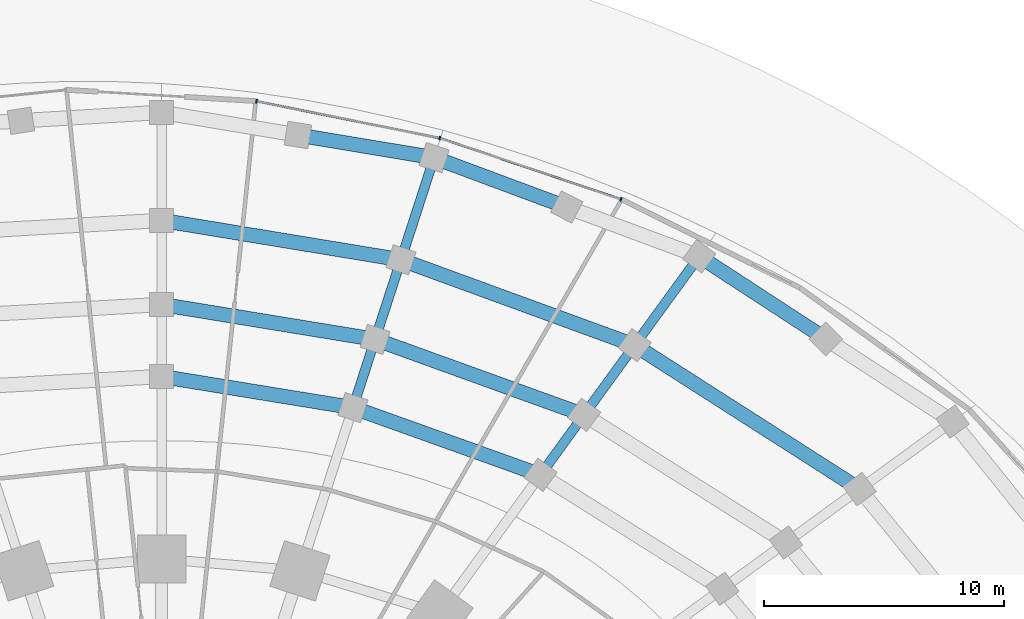
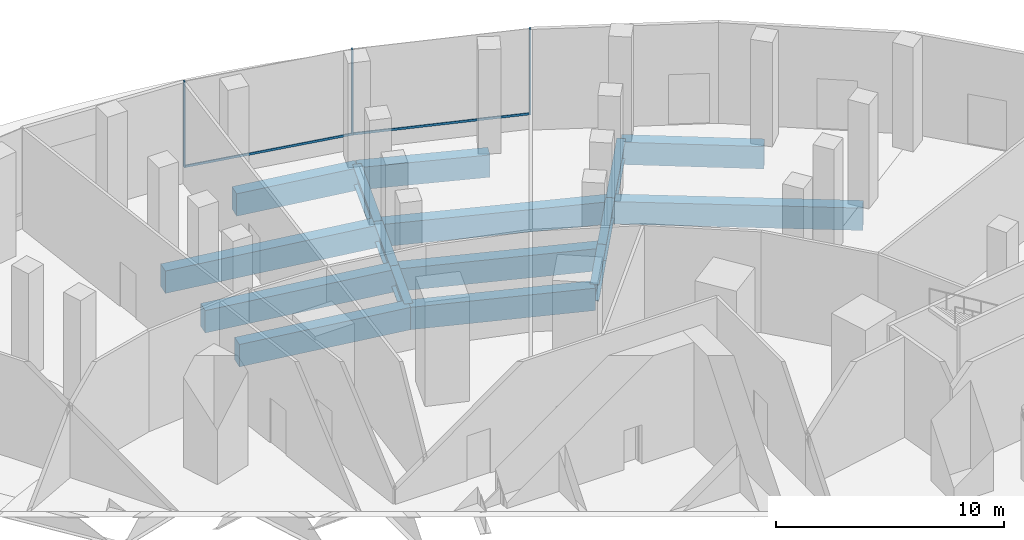
# One storey, part 11 of 23: 16 beams, 5 members, 1 element without a shape of its own.
"""IFC4 building model written with IfcOpenShell, lengths in metres."""

from ifc_helpers import new_model, si_unit, direction, frame, origin, origin_2d, place, context, subcontext, project, spatial, rectangle, i_section, extrude, material, material_profile, profile_set, type_object, element, aggregate, save


model = new_model("IFC4")

# Units and contexts
model_context = context("Model", 3, precision=1e-05, world=origin(), true_north=direction((0.0, 1.0)))
body_context = subcontext(model_context, "Body", "Model", "MODEL_VIEW")
ifc_project = project(units=[si_unit("LENGTHUNIT", "METRE"), si_unit("AREAUNIT", "SQUARE_METRE"), si_unit("VOLUMEUNIT", "CUBIC_METRE"), si_unit("PLANEANGLEUNIT", "RADIAN"), si_unit("MASSUNIT", "GRAM", prefix="KILO")], contexts=[model_context])

# Site, building, storey
site_placement = place(None, origin())
site = spatial("IfcSite", under=ifc_project, at=site_placement, CompositionType="ELEMENT")
building_placement = place(site_placement, origin())
building = spatial("IfcBuilding", under=site, at=building_placement, Name="Marramba Exchange Tower", CompositionType="ELEMENT")
storey_placement = place(building_placement, origin())
storey = spatial("IfcBuildingStorey", under=building, at=storey_placement, Name="L00", CompositionType="ELEMENT", Elevation=0.0)

# Beams
ifc_material_1 = material(Name="Concrete N50", Category="concrete")
ifc_material_profile_1 = material_profile(ifc_material_1, rectangle(XDim=0.60009765625, YDim=1.199951171875, at=origin_2d()), Name="RC 600x1200")
ifc_profile_set_1 = profile_set([ifc_material_profile_1], Name="Concrete N50")
beam_type_1 = type_object("IfcBeamType", Name="Edge beam RC 600x1200 N50", PredefinedType="SPANDREL", material=ifc_profile_set_1)
beam_1_placement = place(storey_placement, frame((27.655029296875, 27.364013671875, -0.800048828125), z_axis=(-0.8377200998, 0.546099839216, 0.0), x_axis=(-0.546099839216, -0.8377200998, 0.0)))
element("IfcBeam", 1, at=beam_1_placement, inside=storey, type_object=beam_type_1, Name="Edge beam L00 P0C03 half 2", PredefinedType="SPANDREL", context=body_context, shape_type="SweptSolid", body=[
    extrude(rectangle(XDim=0.60009765625, YDim=1.199951171875, at=origin_2d()), origin(), (0.0, 0.0, 1.0), 6.29736328125),
])
beam_2_placement = place(storey_placement, frame((16.861572265625, 32.857177734375, -0.800048828125), z_axis=(-0.937168261872, 0.348877699115, 0.0), x_axis=(-0.348877699115, -0.937168261872, 0.0)))
element("IfcBeam", 2, at=beam_2_placement, inside=storey, type_object=beam_type_1, Name="Edge beam L00 P0C04 half 2", PredefinedType="SPANDREL", context=body_context, shape_type="SweptSolid", body=[
    extrude(rectangle(XDim=0.60009765625, YDim=1.199951171875, at=origin_2d()), origin(), (0.0, 0.0, 1.0), 5.887939453125),
])
beam_3_placement = place(storey_placement, frame((11.343505859375, 34.911376953125, -0.800048828125), z_axis=(-0.986421451353, 0.164233736821, 0.0), x_axis=(-0.164233736821, -0.986421451353, 0.0)))
element("IfcBeam", 3, at=beam_3_placement, inside=storey, type_object=beam_type_1, Name="Edge beam L00 P0C05 half 1", PredefinedType="SPANDREL", context=body_context, shape_type="SweptSolid", body=[
    extrude(rectangle(XDim=0.60009765625, YDim=1.199951171875, at=origin_2d()), origin(), (0.0, 0.0, 1.0), 5.75),
])
beam_4_placement = place(storey_placement, frame((29.057373046875, 21.111328125, -0.800048828125), z_axis=(-0.84235792629, 0.538918476225, 0.0), x_axis=(-0.538918476225, -0.84235792629, 0.0)))
element("IfcBeam", 4, at=beam_4_placement, inside=storey, type_object=beam_type_1, Name="Edge beam L00 P1C03", PredefinedType="SPANDREL", context=body_context, shape_type="SweptSolid", body=[
    extrude(rectangle(XDim=0.60009765625, YDim=1.199951171875, at=origin_2d()), origin(), (0.0, 0.0, 1.0), 11.118408203125),
])
beam_5_placement = place(storey_placement, frame((19.691650390625, 27.103271484375, -0.800048828125), z_axis=(-0.939206472346, 0.343352883057, 0.0), x_axis=(-0.343352883057, -0.939206472346, 0.0)))
element("IfcBeam", 5, at=beam_5_placement, inside=storey, type_object=beam_type_1, Name="Edge beam L00 P1C04", PredefinedType="SPANDREL", context=body_context, shape_type="SweptSolid", body=[
    extrude(rectangle(XDim=0.60009765625, YDim=1.199951171875, at=origin_2d()), origin(), (0.0, 0.0, 1.0), 10.359375),
])
beam_6_placement = place(storey_placement, frame((9.962158203125, 30.66015625, -0.800048828125), z_axis=(-0.986720687671, 0.16242624333, 0.0), x_axis=(-0.16242624333, -0.986720687671, 0.0)))
element("IfcBeam", 6, at=beam_6_placement, inside=storey, type_object=beam_type_1, Name="Edge beam L00 P1C05", PredefinedType="SPANDREL", context=body_context, shape_type="SweptSolid", body=[
    extrude(rectangle(XDim=0.60009765625, YDim=1.199951171875, at=origin_2d()), origin(), (0.0, 0.0, 1.0), 10.09619140625),
])
beam_7_placement = place(storey_placement, frame((17.585205078125, 24.203857421875, -0.800048828125), z_axis=(-0.940481976413, 0.339843569958, 0.0), x_axis=(-0.339843569958, -0.940481976413, 0.0)))
element("IfcBeam", 7, at=beam_7_placement, inside=storey, type_object=beam_type_1, Name="Edge beam L00 P2C04", PredefinedType="SPANDREL", context=body_context, shape_type="SweptSolid", body=[
    extrude(rectangle(XDim=0.60009765625, YDim=1.199951171875, at=origin_2d()), origin(), (0.0, 0.0, 1.0), 9.25),
])
beam_8_placement = place(storey_placement, frame((8.8857421875, 27.347412109375, -0.800048828125), z_axis=(-0.986899242558, 0.161337797923, 0.0), x_axis=(-0.161337797923, -0.986899242558, 0.0)))
element("IfcBeam", 8, at=beam_8_placement, inside=storey, type_object=beam_type_1, Name="Edge beam L00 P2C05", PredefinedType="SPANDREL", context=body_context, shape_type="SweptSolid", body=[
    extrude(rectangle(XDim=0.60009765625, YDim=1.199951171875, at=origin_2d()), origin(), (0.0, 0.0, 1.0), 9.003662109375),
])
beam_9_placement = place(storey_placement, frame((15.769775390625, 21.705078125, -0.800048828125), z_axis=(-0.941347695699, 0.337438165895, 0.0), x_axis=(-0.337438165895, -0.941347695699, 0.0)))
element("IfcBeam", 9, at=beam_9_placement, inside=storey, type_object=beam_type_1, Name="Edge beam L00 P3C04", PredefinedType="SPANDREL", context=body_context, shape_type="SweptSolid", body=[
    extrude(rectangle(XDim=0.60009765625, YDim=1.199951171875, at=origin_2d()), origin(), (0.0, 0.0, 1.0), 8.29443359375),
])
beam_10_placement = place(storey_placement, frame((7.9619140625, 24.50390625, -0.800048828125), z_axis=(-0.987006935066, 0.160677659091, 0.0), x_axis=(-0.160677659091, -0.987006935066, 0.0)))
element("IfcBeam", 10, at=beam_10_placement, inside=storey, type_object=beam_type_1, Name="Edge beam L00 P3C05", PredefinedType="SPANDREL", context=body_context, shape_type="SweptSolid", body=[
    extrude(rectangle(XDim=0.60009765625, YDim=1.199951171875, at=origin_2d()), origin(), (0.0, 0.0, 1.0), 8.066650390625),
])

# Curtain wall, members
ifc_material_2 = material(Name="Aluminium framing, bronze anodised", Category="aluminium")
curtain_wall_type = type_object("IfcCurtainWallType", Name="Exchange hall glazed wall", PredefinedType="USERDEFINED", material=ifc_material_2)
curtain_wall_placement = place(storey_placement, origin())
curtain_wall = element("IfcCurtainWall", 11, at=curtain_wall_placement, inside=storey, type_object=curtain_wall_type, Name="Curtain wall CW1 L00 F06-F07", ObjectType="RIBBON CURTAIN WALL", PredefinedType="USERDEFINED")
ifc_material_3 = material(Name="Aluminium mullion, bronze anodised", Category="aluminium")
ifc_material_profile_2 = material_profile(ifc_material_3, rectangle(XDim=0.159912109375, YDim=0.06005859375, at=origin_2d()), Name="CW1 mullion 60x160")
ifc_profile_set_2 = profile_set([ifc_material_profile_2], Name="Aluminium mullion, bronze anodised")
member_type_1 = type_object("IfcMemberType", Name="Exchange hall glazed wall mullion", PredefinedType="MULLION", material=ifc_profile_set_2)
member_1_placement = place(storey_placement, frame((19.12255859375, 33.18017578125, 0.800048828125), z_axis=(0.0, 0.0, 1.0), x_axis=(-0.320105278981, -0.947381977013, 0.0)))
member_1 = element("IfcMember", 12, at=member_1_placement, type_object=member_type_1, Name="CW1 mullion 1", PredefinedType="MULLION", context=body_context, shape_type="SweptSolid", body=[
    extrude(rectangle(XDim=0.159912109375, YDim=0.06005859375, at=origin_2d()), origin(), (0.0, 0.0, 1.0), 4.599853515625),
])
member_2_placement = place(storey_placement, frame((11.57666015625, 35.725830078125, 0.800048828125), z_axis=(0.0, 0.0, 1.0), x_axis=(-0.197535139708, -0.980295806673, 0.0)))
member_2 = element("IfcMember", 13, at=member_2_placement, type_object=member_type_1, Name="CW1 mullion 1", PredefinedType="MULLION", context=body_context, shape_type="SweptSolid", body=[
    extrude(rectangle(XDim=0.159912109375, YDim=0.06005859375, at=origin_2d()), origin(), (0.0, 0.0, 1.0), 4.599853515625),
])
member_3_placement = place(storey_placement, frame((3.946533203125, 37.26318359375, 0.800048828125), z_axis=(0.0, 0.0, 1.0), x_axis=(-0.197535139708, -0.980295806673, 0.0)))
member_3 = element("IfcMember", 14, at=member_3_placement, type_object=member_type_1, Name="CW1 mullion 2", PredefinedType="MULLION", context=body_context, shape_type="SweptSolid", body=[
    extrude(rectangle(XDim=0.159912109375, YDim=0.06005859375, at=origin_2d()), origin(), (0.0, 0.0, 1.0), 4.599853515625),
])
ifc_material_4 = material(Name="Aluminium transom, bronze anodised", Category="aluminium")
ifc_material_profile_3 = material_profile(ifc_material_4, rectangle(XDim=0.06005859375, YDim=0.1201171875, at=origin_2d()), Name="CW1 transom 60x120")
ifc_profile_set_3 = profile_set([ifc_material_profile_3], Name="Aluminium transom, bronze anodised")
member_type_2 = type_object("IfcMemberType", Name="Exchange hall glazed wall transom", PredefinedType="USERDEFINED", material=ifc_profile_set_3)
member_4_placement = place(storey_placement, frame((19.09423828125, 33.189697265625, 0.830078125), z_axis=(-0.947387411825, 0.320089193686, 0.0), x_axis=(-0.320089193686, -0.947387411825, 0.0)))
member_4 = element("IfcMember", 15, at=member_4_placement, type_object=member_type_2, Name="CW1 sill transom", ObjectType="TRANSOM", PredefinedType="USERDEFINED", context=body_context, shape_type="SweptSolid", body=[
    extrude(rectangle(XDim=0.06005859375, YDim=0.1201171875, at=origin_2d()), origin(), (0.0, 0.0, 1.0), 7.904052734375),
])
member_5_placement = place(storey_placement, frame((11.54736328125, 35.731689453125, 0.830078125), z_axis=(-0.980296376488, 0.197532311901, 0.0), x_axis=(-0.197532311901, -0.980296376488, 0.0)))
member_5 = element("IfcMember", 16, at=member_5_placement, type_object=member_type_2, Name="CW1 sill transom", ObjectType="TRANSOM", PredefinedType="USERDEFINED", context=body_context, shape_type="SweptSolid", body=[
    extrude(rectangle(XDim=0.06005859375, YDim=0.1201171875, at=origin_2d()), origin(), (0.0, 0.0, 1.0), 7.723388671875),
])
aggregate(curtain_wall, [member_1, member_4, member_2, member_3, member_5])

# Beams
ifc_material_5 = material(Name="Steel AS/NZS 3679.2 grade 300", Category="steel")
ifc_material_profile_4 = material_profile(ifc_material_5, i_section(OverallWidth=0.39990234375, OverallDepth=0.89990234375, WebThickness=0.01611328125, FlangeThickness=0.031982421875, at=origin_2d()), Name="900WB282")
ifc_profile_set_4 = profile_set([ifc_material_profile_4], Name="Steel AS/NZS 3679.2 grade 300")
beam_type_2 = type_object("IfcBeamType", Name="Radial girder 900WB282", PredefinedType="BEAM", material=ifc_profile_set_4)
beam_11_placement = place(storey_placement, frame((22.379638671875, 30.802978515625, -0.64990234375), z_axis=(-0.587784362344, -0.809017640959, 0.0), x_axis=(0.809017640959, -0.587784362344, 0.0)))
element("IfcBeam", 17, at=beam_11_placement, inside=storey, type_object=beam_type_2, Name="Radial girder L00 P0C04", PredefinedType="BEAM", context=body_context, shape_type="SweptSolid", body=[
    extrude(i_section(OverallWidth=0.39990234375, OverallDepth=0.89990234375, WebThickness=0.01611328125, FlangeThickness=0.031982421875, at=origin_2d()), origin(), (0.0, 0.0, 1.0), 4.572998046875),
])
beam_12_placement = place(storey_placement, frame((11.343505859375, 34.911376953125, -0.64990234375), z_axis=(-0.309025557178, -0.951053734029, 0.0), x_axis=(0.951053734029, -0.309025557178, 0.0)))
element("IfcBeam", 18, at=beam_12_placement, inside=storey, type_object=beam_type_2, Name="Radial girder L00 P0C05", PredefinedType="BEAM", context=body_context, shape_type="SweptSolid", body=[
    extrude(i_section(OverallWidth=0.39990234375, OverallDepth=0.89990234375, WebThickness=0.01611328125, FlangeThickness=0.031982421875, at=origin_2d()), origin(), (0.0, 0.0, 1.0), 4.469970703125),
])
beam_13_placement = place(storey_placement, frame((19.691650390625, 27.103271484375, -0.64990234375), z_axis=(-0.587766567315, -0.809030569476, 0.0), x_axis=(0.809030569476, -0.587766567315, 0.0)))
element("IfcBeam", 19, at=beam_13_placement, inside=storey, type_object=beam_type_2, Name="Radial girder L00 P1C04", PredefinedType="BEAM", context=body_context, shape_type="SweptSolid", body=[
    extrude(i_section(OverallWidth=0.39990234375, OverallDepth=0.89990234375, WebThickness=0.01611328125, FlangeThickness=0.031982421875, at=origin_2d()), origin(), (0.0, 0.0, 1.0), 3.583740234375),
])
beam_14_placement = place(storey_placement, frame((9.962158203125, 30.66015625, -0.64990234375), z_axis=(-0.309027432175, -0.951053124785, 0.0), x_axis=(0.951053124785, -0.309027432175, 0.0)))
element("IfcBeam", 20, at=beam_14_placement, inside=storey, type_object=beam_type_2, Name="Radial girder L00 P1C05", PredefinedType="BEAM", context=body_context, shape_type="SweptSolid", body=[
    extrude(i_section(OverallWidth=0.39990234375, OverallDepth=0.89990234375, WebThickness=0.01611328125, FlangeThickness=0.031982421875, at=origin_2d()), origin(), (0.0, 0.0, 1.0), 3.483154296875),
])
beam_15_placement = place(storey_placement, frame((17.585205078125, 24.203857421875, -0.64990234375), z_axis=(-0.587776831065, -0.809023112688, 0.0), x_axis=(0.809023112688, -0.587776831065, 0.0)))
element("IfcBeam", 21, at=beam_15_placement, inside=storey, type_object=beam_type_2, Name="Radial girder L00 P2C04", PredefinedType="BEAM", context=body_context, shape_type="SweptSolid", body=[
    extrude(i_section(OverallWidth=0.39990234375, OverallDepth=0.89990234375, WebThickness=0.01611328125, FlangeThickness=0.031982421875, at=origin_2d()), origin(), (0.0, 0.0, 1.0), 3.088623046875),
])
beam_16_placement = place(storey_placement, frame((8.8857421875, 27.347412109375, -0.64990234375), z_axis=(-0.308991903915, -0.951064668314, 0.0), x_axis=(0.951064668314, -0.308991903915, 0.0)))
element("IfcBeam", 22, at=beam_16_placement, inside=storey, type_object=beam_type_2, Name="Radial girder L00 P2C05", PredefinedType="BEAM", context=body_context, shape_type="SweptSolid", body=[
    extrude(i_section(OverallWidth=0.39990234375, OverallDepth=0.89990234375, WebThickness=0.01611328125, FlangeThickness=0.031982421875, at=origin_2d()), origin(), (0.0, 0.0, 1.0), 2.98974609375),
])

save(model, "model.ifc")
